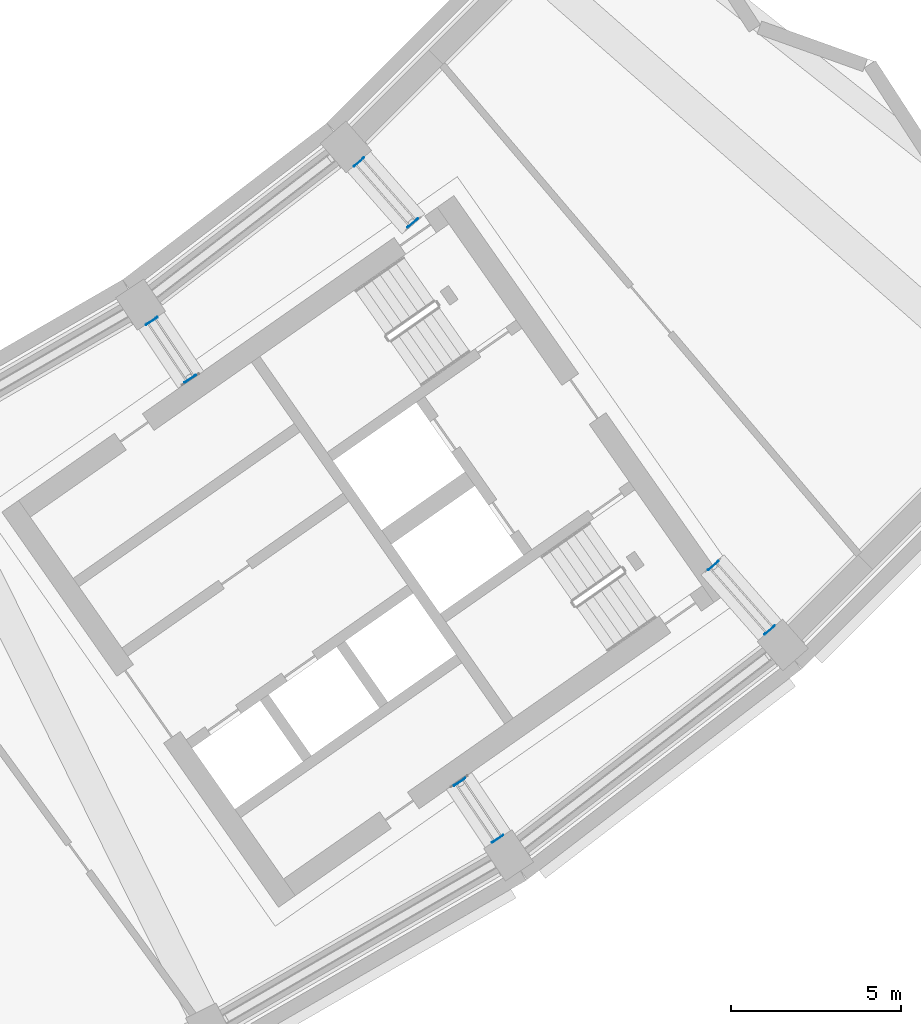
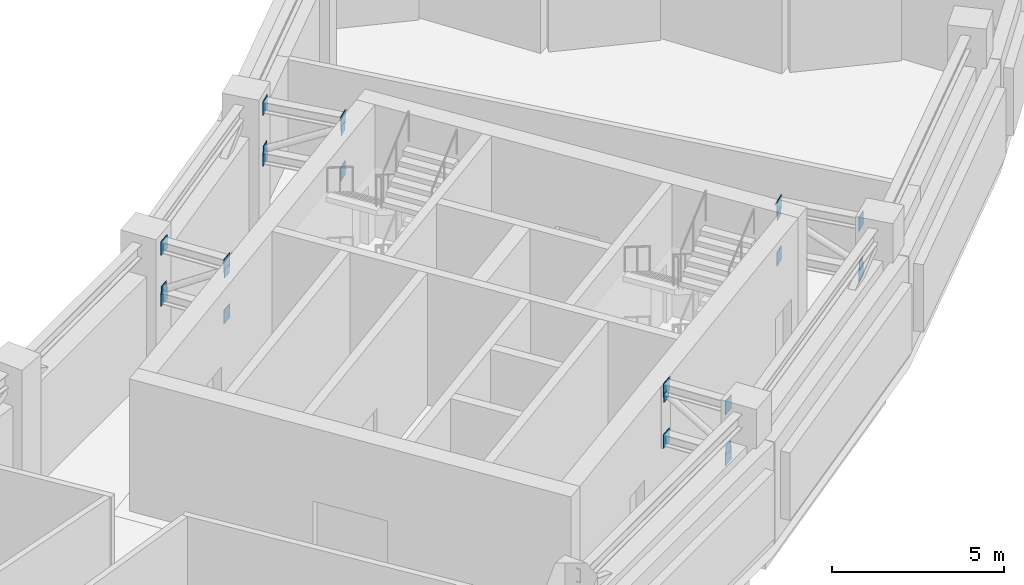
# One storey, part 12 of 24: 24 discrete accessories.
"""IFC4 building model written with IfcOpenShell, lengths in metres."""

import ifcopenshell
import ifcopenshell.guid

model = None  # the IFC model being written
_history = None  # IfcOwnerHistory: only IFC2X3 demands one
_inside = {}  # id of a spatial element -> (the spatial element, [elements in it])
_under = {}  # id of a project, library or spatial element -> (it, [spatial elements below it])
_declared = {}  # id of a project -> (the project, [libraries it declares])
_typed = {}  # id of a type object -> (the type object, [elements of that type])
_made_of = {}  # id of a material, layer set ... -> (it, [elements and type objects made of it])


def new_model(schema):
    """Start an empty IFC model of exactly this schema.

    Asked for "IFC4X3", IfcOpenShell would pick the latest addendum, in which some entities
    have other attributes; the version numbers below select the first issue.
    IFC2X3 requires an IfcOwnerHistory on every rooted entity: one is made here for all.
    """
    global model, _history
    if schema == "IFC4X3":
        model = ifcopenshell.file(schema_version=(4, 3, 0, 0))
    else:
        model = ifcopenshell.file(schema=schema)
    _inside.clear()
    _under.clear()
    _declared.clear()
    _typed.clear()
    _made_of.clear()
    _history = None
    if model.schema == "IFC2X3":
        org = make("IfcOrganization", Name="unknown")
        user = make(
            "IfcPersonAndOrganization",
            ThePerson=make("IfcPerson", FamilyName="unknown"),
            TheOrganization=org,
        )
        app = make(
            "IfcApplication",
            ApplicationDeveloper=org,
            Version="unknown",
            ApplicationFullName="unknown",
            ApplicationIdentifier="unknown",
        )
        _history = make(
            "IfcOwnerHistory",
            OwningUser=user,
            OwningApplication=app,
            ChangeAction="ADDED",
            CreationDate=0,
        )
    return model


def make(cls, **values):
    """One entity of the class cls with the attributes given. An attribute that is None is left unset."""
    return model.create_entity(
        cls, **{name: value for name, value in values.items() if value is not None}
    )


def rooted(cls, **values):
    """An entity with a GlobalId (a new one), such as an element, a storey or a relation."""
    return make(cls, GlobalId=ifcopenshell.guid.new(), OwnerHistory=_history, **values)


def si_unit(unit_type, name, prefix=None):
    """IfcSIUnit, for example si_unit("LENGTHUNIT", "METRE", prefix="MILLI")."""
    return make("IfcSIUnit", UnitType=unit_type, Prefix=prefix, Name=name)


def assignment(units):
    """IfcUnitAssignment: the units of a project."""
    return None if units is None else make("IfcUnitAssignment", Units=units)


def point(xyz):
    """IfcCartesianPoint."""
    return None if xyz is None else make("IfcCartesianPoint", Coordinates=xyz)


def direction(xyz):
    """IfcDirection."""
    return None if xyz is None else make("IfcDirection", DirectionRatios=xyz)


def frame(location, z_axis=None, x_axis=None):
    """IfcAxis2Placement3D, a coordinate frame: its origin and axes. An axis left out is left unset."""
    return make(
        "IfcAxis2Placement3D",
        Location=point(location),
        Axis=direction(z_axis),
        RefDirection=direction(x_axis),
    )


def frame_2d(location, x_axis=None):
    """IfcAxis2Placement2D, a coordinate frame in the plane: its origin and x axis."""
    return make(
        "IfcAxis2Placement2D", Location=point(location), RefDirection=direction(x_axis)
    )


def origin():
    """The frame at (0, 0, 0) with its axes left unset."""
    return frame((0.0, 0.0, 0.0))


def origin_2d():
    """The frame at (0, 0) in the plane with its x axis left unset."""
    return frame_2d((0.0, 0.0))


def place(relative_to, where):
    """IfcLocalPlacement: puts the frame where relative to a parent placement (None: the world)."""
    return make(
        "IfcLocalPlacement", PlacementRelTo=relative_to, RelativePlacement=where
    )


def context(
    kind, dimensions, precision=None, world=None, true_north=None, identifier=None
):
    """IfcGeometricRepresentationContext, for example the 3D "Model" context."""
    return make(
        "IfcGeometricRepresentationContext",
        ContextIdentifier=identifier,
        ContextType=kind,
        CoordinateSpaceDimension=dimensions,
        Precision=precision,
        WorldCoordinateSystem=world,
        TrueNorth=true_north,
    )


def subcontext(parent, identifier, kind, view, scale=None):
    """IfcGeometricRepresentationSubContext, for example "Body" below "Model"."""
    return make(
        "IfcGeometricRepresentationSubContext",
        ContextIdentifier=identifier,
        ContextType=kind,
        ParentContext=parent,
        TargetScale=scale,
        TargetView=view,
    )


def project(units=None, contexts=None):
    """IfcProject with its units and contexts."""
    return rooted(
        "IfcProject",
        Name="project",
        RepresentationContexts=contexts,
        UnitsInContext=assignment(units),
    )


def spatial(cls, under=None, at=None, **own):
    """A site, building, storey or space (cls), placed at a placement, below another one or the project."""
    s = rooted(cls, ObjectPlacement=at, **own)
    if under is not None:
        _under.setdefault(under.id(), (under, []))[1].append(s)
    return s


def profile(cls, at=None, kind="AREA", **sizes):
    """A parametric profile (cls). Its sizes go by their IFC names, for example OverallWidth=200.0."""
    return make(cls, ProfileType=kind, Position=at, **sizes)


def rectangle(**sizes):
    """IfcRectangleProfileDef."""
    return profile("IfcRectangleProfileDef", **sizes)


def extrude(swept, where, along, depth):
    """IfcExtrudedAreaSolid: the profile swept, set in the frame where, extruded along a direction by depth."""
    return make(
        "IfcExtrudedAreaSolid",
        SweptArea=swept,
        Position=where,
        ExtrudedDirection=direction(along),
        Depth=depth,
    )


def shape(context_of_items, identifier, shape_type, items):
    """IfcShapeRepresentation: the items that make up one representation, for example the "Body"."""
    return make(
        "IfcShapeRepresentation",
        ContextOfItems=context_of_items,
        RepresentationIdentifier=identifier,
        RepresentationType=shape_type,
        Items=items,
    )


def material(Name=None, Category=None):
    """IfcMaterial."""
    return make("IfcMaterial", Name=Name, Category=Category)


def layer(
    of_material, thickness, ventilated=None, Name=None, Category=None, Priority=None
):
    """IfcMaterialLayer: one layer of a wall or slab, of a material (None: an air gap)."""
    return make(
        "IfcMaterialLayer",
        Material=of_material,
        LayerThickness=thickness,
        IsVentilated=ventilated,
        Name=Name,
        Category=Category,
        Priority=Priority,
    )


def layer_set(layers, Name=None):
    """IfcMaterialLayerSet."""
    return make("IfcMaterialLayerSet", MaterialLayers=layers, LayerSetName=Name)


def made_of(thing, what):
    """Note that an element or type object is made of a material, layer set ...; save() writes the relation."""
    if what is not None:
        _made_of.setdefault(what.id(), (what, []))[1].append(thing)
    return thing


def type_object(cls, material=None, **own):
    """A type object (cls), such as IfcWallType, which elements share."""
    return made_of(rooted(cls, **own), material)


def element(
    cls,
    number,
    at=None,
    inside=None,
    cuts=None,
    type_object=None,
    material=None,
    context=None,
    identifier="Body",
    shape_type=None,
    held_by="IfcProductDefinitionShape",
    body=None,
    shapes=None,
    **own,
):
    """One element of the class cls, such as IfcWall. Its Tag is "e" and its number.

    at: its placement. inside: the storey or other place that contains it. cuts: it is an
    opening in that element (IfcRelVoidsElement). A single representation is given by context,
    identifier, shape_type and body (its items); several are given by shapes. held_by: the class
    of the entity that holds the representations. save() writes the other relations.
    """
    e = rooted(cls, Tag="e%d" % number, ObjectPlacement=at, **own)
    if body is not None:
        shapes = [shape(context, identifier, shape_type, body)]
    if shapes is not None:
        e.Representation = make(held_by, Representations=shapes)
    if inside is not None:
        _inside.setdefault(inside.id(), (inside, []))[1].append(e)
    if cuts is not None:
        rooted(
            "IfcRelVoidsElement", RelatingBuildingElement=cuts, RelatedOpeningElement=e
        )
    if type_object is not None:
        _typed.setdefault(type_object.id(), (type_object, []))[1].append(e)
    return made_of(e, material)


def aggregate(whole, parts):
    """IfcRelAggregates: a whole, such as a stair, and the parts it consists of."""
    return rooted("IfcRelAggregates", RelatingObject=whole, RelatedObjects=parts)


def save(model, path):
    """Write the relations noted so far, then the file.

    IfcRelAggregates (storeys below a building ...), IfcRelContainedInSpatialStructure (elements
    in a storey), IfcRelDefinesByType, IfcRelAssociatesMaterial and IfcRelDeclares: one each for
    every whole, place, type object, material and project.
    """
    for whole, parts in _under.values():
        aggregate(whole, parts)
    for where, things in _inside.values():
        rooted(
            "IfcRelContainedInSpatialStructure",
            RelatedElements=things,
            RelatingStructure=where,
        )
    for kind, things in _typed.values():
        rooted("IfcRelDefinesByType", RelatedObjects=things, RelatingType=kind)
    for what, things in _made_of.values():
        rooted("IfcRelAssociatesMaterial", RelatedObjects=things, RelatingMaterial=what)
    for by, libraries in _declared.values():
        rooted("IfcRelDeclares", RelatingContext=by, RelatedDefinitions=libraries)
    model.write(path)


model = new_model("IFC4")

# Units and contexts
model_context = context("Model", 3, precision=1e-05, world=origin(), true_north=direction((0.0, 1.0)))
body_context = subcontext(model_context, "Body", "Model", "MODEL_VIEW")
ifc_project = project(units=[si_unit("LENGTHUNIT", "METRE"), si_unit("AREAUNIT", "SQUARE_METRE"), si_unit("VOLUMEUNIT", "CUBIC_METRE"), si_unit("PLANEANGLEUNIT", "RADIAN"), si_unit("MASSUNIT", "GRAM", prefix="KILO")], contexts=[model_context])

# Site, building, storey
site_placement = place(None, origin())
site = spatial("IfcSite", under=ifc_project, at=site_placement, CompositionType="ELEMENT")
building_placement = place(site_placement, origin())
building = spatial("IfcBuilding", under=site, at=building_placement, Name="Qamariyya Broadcast Tower", CompositionType="ELEMENT")
storey_placement = place(building_placement, frame((0.0, 0.0, 253.10009765625)))
storey = spatial("IfcBuildingStorey", under=building, at=storey_placement, Name="L61", CompositionType="ELEMENT", Elevation=253.10009765625)

# Discrete accessories
ifc_material = material(Name="Steel S355", Category="steel")
ifc_layer = layer(ifc_material, 0.02001953125)
ifc_layer_set = layer_set([ifc_layer], Name="End plate 20 Steel S355")
discrete_accessory_type = type_object("IfcDiscreteAccessoryType", Name="End plate 20 Steel S355", PredefinedType="BRACKET", material=ifc_layer_set)
for number, where, z_axis, x_axis, name in (
    (1, (32.68701171875, -48.91943359375, 4.259765625), (0.0, 0.0, 1.0), (-0.831469612303, -0.55557023302, 0.0), "End plate EP1 L61 R15 tc"),
    (2, (33.82275390625, -50.619384765625, 4.259765625), (0.0, 0.0, 1.0), (-0.831469612303, -0.55557023302, 0.0), "End plate EP1 L61 R15 tc"),
    (3, (32.68701171875, -48.91943359375, 2.44970703125), (0.0, 0.0, 1.0), (-0.831469612303, -0.55557023302, 0.0), "End plate EP1 L61 R15 bc"),
    (4, (33.82275390625, -50.619384765625, 2.44970703125), (0.0, 0.0, 1.0), (-0.831469612303, -0.55557023302, 0.0), "End plate EP1 L61 R15 bc"),
):
    element("IfcDiscreteAccessory", number, at=place(storey_placement, frame(where, z_axis=z_axis, x_axis=x_axis)), inside=storey, type_object=discrete_accessory_type, Name=name, PredefinedType="BRACKET", context=body_context, shape_type="SweptSolid", body=[
        extrude(rectangle(XDim=0.39990234375, YDim=0.02001953125, at=origin_2d()), origin(), (0.0, 0.0, 1.0), 0.489990234375),
    ])
for number, where, z_axis, x_axis, name in (
    (5, (32.68701171875, -48.91943359375, 2.822265625), (0.0, 0.0, 1.0), (-0.831469612303, -0.55557023302, 0.0), "End plate EP1 L61 R15 dg"),
    (6, (33.82275390625, -50.619384765625, 4.05859375), (0.0, 0.0, 1.0), (-0.831469612303, -0.55557023302, 0.0), "End plate EP1 L61 R15 dg"),
):
    element("IfcDiscreteAccessory", number, at=place(storey_placement, frame(where, z_axis=z_axis, x_axis=x_axis)), inside=storey, type_object=discrete_accessory_type, Name=name, PredefinedType="BRACKET", context=body_context, shape_type="SweptSolid", body=[
        extrude(rectangle(XDim=0.319091796875, YDim=0.02001953125, at=origin_2d()), origin(), (0.0, 0.0, 1.0), 0.319091796875),
    ])
for number, where, z_axis, x_axis, name in (
    (7, (41.752685546875, -62.4873046875, 4.259765625), (0.0, 0.0, 1.0), (-0.831469612303, -0.55557023302, 0.0), "End plate EP1 L61 R15 tc"),
    (8, (42.87060546875, -64.160400390625, 4.259765625), (0.0, 0.0, 1.0), (-0.831469612303, -0.55557023302, 0.0), "End plate EP1 L61 R15 tc"),
    (9, (41.752685546875, -62.4873046875, 2.44970703125), (0.0, 0.0, 1.0), (-0.831469612303, -0.55557023302, 0.0), "End plate EP1 L61 R15 bc"),
    (10, (42.87060546875, -64.160400390625, 2.44970703125), (0.0, 0.0, 1.0), (-0.831469612303, -0.55557023302, 0.0), "End plate EP1 L61 R15 bc"),
):
    element("IfcDiscreteAccessory", number, at=place(storey_placement, frame(where, z_axis=z_axis, x_axis=x_axis)), inside=storey, type_object=discrete_accessory_type, Name=name, PredefinedType="BRACKET", context=body_context, shape_type="SweptSolid", body=[
        extrude(rectangle(XDim=0.39990234375, YDim=0.02001953125, at=origin_2d()), origin(), (0.0, 0.0, 1.0), 0.489990234375),
    ])
for number, where, z_axis, x_axis, name in (
    (11, (41.752685546875, -62.4873046875, 4.05908203125), (0.0, 0.0, 1.0), (-0.831469612303, -0.55557023302, 0.0), "End plate EP1 L61 R15 dg"),
    (12, (42.87060546875, -64.160400390625, 2.82177734375), (0.0, 0.0, 1.0), (-0.831469612303, -0.55557023302, 0.0), "End plate EP1 L61 R15 dg"),
):
    element("IfcDiscreteAccessory", number, at=place(storey_placement, frame(where, z_axis=z_axis, x_axis=x_axis)), inside=storey, type_object=discrete_accessory_type, Name=name, PredefinedType="BRACKET", context=body_context, shape_type="SweptSolid", body=[
        extrude(rectangle(XDim=0.319091796875, YDim=0.02001953125, at=origin_2d()), origin(), (0.0, 0.0, 1.0), 0.319091796875),
    ])
for number, where, z_axis, x_axis, name in (
    (13, (38.792724609375, -44.234375, 4.259765625), (0.0, 0.0, 1.0), (-0.751839807479, -0.6593458151, 0.0), "End plate EP1 L61 R16 tc"),
    (14, (40.37109375, -46.034423828125, 4.259765625), (0.0, 0.0, 1.0), (-0.751839807479, -0.6593458151, 0.0), "End plate EP1 L61 R16 tc"),
    (15, (38.792724609375, -44.234375, 2.44970703125), (0.0, 0.0, 1.0), (-0.751839807479, -0.6593458151, 0.0), "End plate EP1 L61 R16 bc"),
    (16, (40.37109375, -46.034423828125, 2.44970703125), (0.0, 0.0, 1.0), (-0.751839807479, -0.6593458151, 0.0), "End plate EP1 L61 R16 bc"),
):
    element("IfcDiscreteAccessory", number, at=place(storey_placement, frame(where, z_axis=z_axis, x_axis=x_axis)), inside=storey, type_object=discrete_accessory_type, Name=name, PredefinedType="BRACKET", context=body_context, shape_type="SweptSolid", body=[
        extrude(rectangle(XDim=0.39990234375, YDim=0.02001953125, at=origin_2d()), origin(), (0.0, 0.0, 1.0), 0.489990234375),
    ])
for number, where, z_axis, x_axis, name in (
    (17, (38.792724609375, -44.234375, 2.82666015625), (0.0, 0.0, 1.0), (-0.751839807479, -0.6593458151, 0.0), "End plate EP1 L61 R16 dg"),
    (18, (40.37109375, -46.034423828125, 4.05419921875), (0.0, 0.0, 1.0), (-0.751839807479, -0.6593458151, 0.0), "End plate EP1 L61 R16 dg"),
):
    element("IfcDiscreteAccessory", number, at=place(storey_placement, frame(where, z_axis=z_axis, x_axis=x_axis)), inside=storey, type_object=discrete_accessory_type, Name=name, PredefinedType="BRACKET", context=body_context, shape_type="SweptSolid", body=[
        extrude(rectangle(XDim=0.319091796875, YDim=0.02001953125, at=origin_2d()), origin(), (0.0, 0.0, 1.0), 0.319091796875),
    ])
for number, where, z_axis, x_axis, name in (
    (19, (49.217529296875, -56.121826171875, 4.259765625), (0.0, 0.0, 1.0), (-0.751839807479, -0.6593458151, 0.0), "End plate EP1 L61 R16 tc"),
    (20, (50.87841796875, -58.015625, 4.259765625), (0.0, 0.0, 1.0), (-0.751839807479, -0.6593458151, 0.0), "End plate EP1 L61 R16 tc"),
    (21, (49.217529296875, -56.121826171875, 2.44970703125), (0.0, 0.0, 1.0), (-0.751839807479, -0.6593458151, 0.0), "End plate EP1 L61 R16 bc"),
    (22, (50.87841796875, -58.015625, 2.44970703125), (0.0, 0.0, 1.0), (-0.751839807479, -0.6593458151, 0.0), "End plate EP1 L61 R16 bc"),
):
    element("IfcDiscreteAccessory", number, at=place(storey_placement, frame(where, z_axis=z_axis, x_axis=x_axis)), inside=storey, type_object=discrete_accessory_type, Name=name, PredefinedType="BRACKET", context=body_context, shape_type="SweptSolid", body=[
        extrude(rectangle(XDim=0.39990234375, YDim=0.02001953125, at=origin_2d()), origin(), (0.0, 0.0, 1.0), 0.489990234375),
    ])
for number, where, z_axis, x_axis, name in (
    (23, (49.217529296875, -56.121826171875, 4.052734375), (0.0, 0.0, 1.0), (-0.751839807479, -0.6593458151, 0.0), "End plate EP1 L61 R16 dg"),
    (24, (50.87841796875, -58.015625, 2.828125), (0.0, 0.0, 1.0), (-0.751839807479, -0.6593458151, 0.0), "End plate EP1 L61 R16 dg"),
):
    element("IfcDiscreteAccessory", number, at=place(storey_placement, frame(where, z_axis=z_axis, x_axis=x_axis)), inside=storey, type_object=discrete_accessory_type, Name=name, PredefinedType="BRACKET", context=body_context, shape_type="SweptSolid", body=[
        extrude(rectangle(XDim=0.319091796875, YDim=0.02001953125, at=origin_2d()), origin(), (0.0, 0.0, 1.0), 0.319091796875),
    ])

save(model, "model.ifc")
